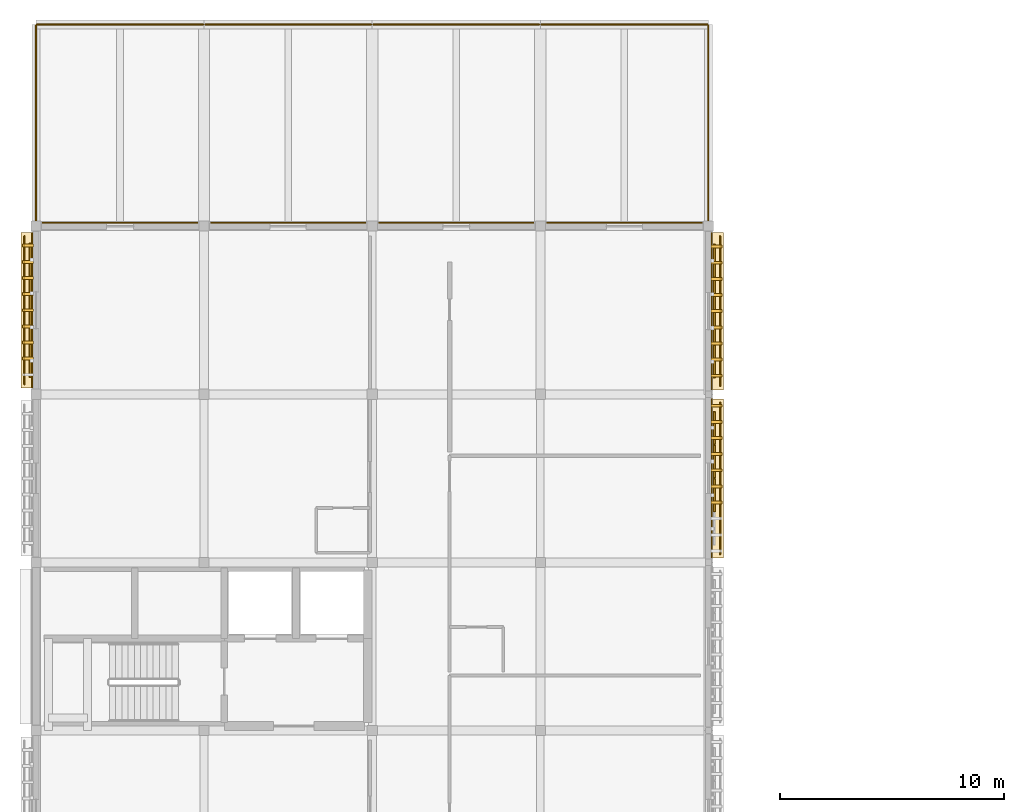
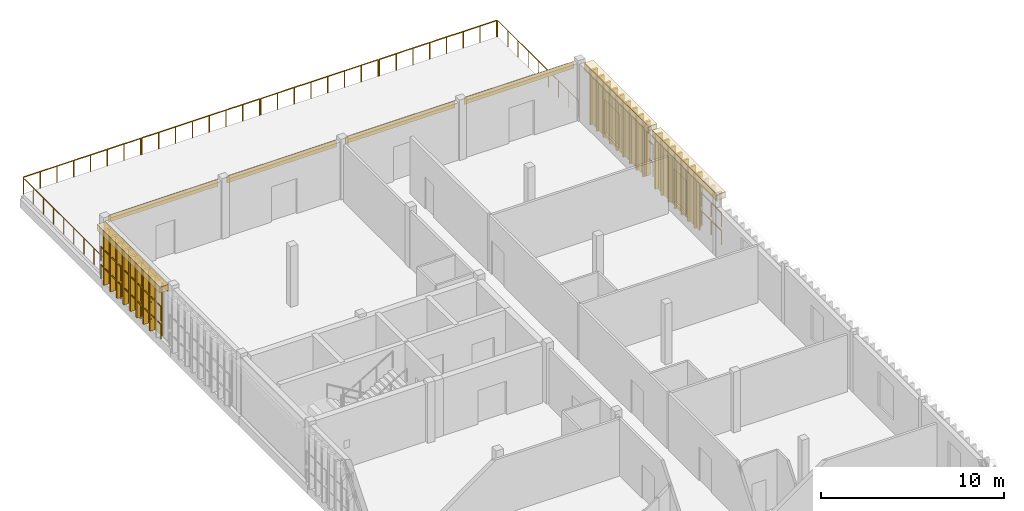
# One storey, part 13 of 13: 34 coverings, 12 railings, 11 shading devices.
"""IFC4 building model written with IfcOpenShell, lengths in metres."""

import ifcopenshell
import ifcopenshell.guid

model = None  # the IFC model being written
_history = None  # IfcOwnerHistory: only IFC2X3 demands one
_inside = {}  # id of a spatial element -> (the spatial element, [elements in it])
_under = {}  # id of a project, library or spatial element -> (it, [spatial elements below it])
_declared = {}  # id of a project -> (the project, [libraries it declares])
_typed = {}  # id of a type object -> (the type object, [elements of that type])
_made_of = {}  # id of a material, layer set ... -> (it, [elements and type objects made of it])


def new_model(schema):
    """Start an empty IFC model of exactly this schema.

    Asked for "IFC4X3", IfcOpenShell would pick the latest addendum, in which some entities
    have other attributes; the version numbers below select the first issue.
    IFC2X3 requires an IfcOwnerHistory on every rooted entity: one is made here for all.
    """
    global model, _history
    if schema == "IFC4X3":
        model = ifcopenshell.file(schema_version=(4, 3, 0, 0))
    else:
        model = ifcopenshell.file(schema=schema)
    _inside.clear()
    _under.clear()
    _declared.clear()
    _typed.clear()
    _made_of.clear()
    _history = None
    if model.schema == "IFC2X3":
        org = make("IfcOrganization", Name="unknown")
        user = make(
            "IfcPersonAndOrganization",
            ThePerson=make("IfcPerson", FamilyName="unknown"),
            TheOrganization=org,
        )
        app = make(
            "IfcApplication",
            ApplicationDeveloper=org,
            Version="unknown",
            ApplicationFullName="unknown",
            ApplicationIdentifier="unknown",
        )
        _history = make(
            "IfcOwnerHistory",
            OwningUser=user,
            OwningApplication=app,
            ChangeAction="ADDED",
            CreationDate=0,
        )
    return model


def make(cls, **values):
    """One entity of the class cls with the attributes given. An attribute that is None is left unset."""
    return model.create_entity(
        cls, **{name: value for name, value in values.items() if value is not None}
    )


def rooted(cls, **values):
    """An entity with a GlobalId (a new one), such as an element, a storey or a relation."""
    return make(cls, GlobalId=ifcopenshell.guid.new(), OwnerHistory=_history, **values)


def si_unit(unit_type, name, prefix=None):
    """IfcSIUnit, for example si_unit("LENGTHUNIT", "METRE", prefix="MILLI")."""
    return make("IfcSIUnit", UnitType=unit_type, Prefix=prefix, Name=name)


def assignment(units):
    """IfcUnitAssignment: the units of a project."""
    return None if units is None else make("IfcUnitAssignment", Units=units)


def point(xyz):
    """IfcCartesianPoint."""
    return None if xyz is None else make("IfcCartesianPoint", Coordinates=xyz)


def direction(xyz):
    """IfcDirection."""
    return None if xyz is None else make("IfcDirection", DirectionRatios=xyz)


def frame(location, z_axis=None, x_axis=None):
    """IfcAxis2Placement3D, a coordinate frame: its origin and axes. An axis left out is left unset."""
    return make(
        "IfcAxis2Placement3D",
        Location=point(location),
        Axis=direction(z_axis),
        RefDirection=direction(x_axis),
    )


def frame_2d(location, x_axis=None):
    """IfcAxis2Placement2D, a coordinate frame in the plane: its origin and x axis."""
    return make(
        "IfcAxis2Placement2D", Location=point(location), RefDirection=direction(x_axis)
    )


def origin():
    """The frame at (0, 0, 0) with its axes left unset."""
    return frame((0.0, 0.0, 0.0))


def origin_2d():
    """The frame at (0, 0) in the plane with its x axis left unset."""
    return frame_2d((0.0, 0.0))


def place(relative_to, where):
    """IfcLocalPlacement: puts the frame where relative to a parent placement (None: the world)."""
    return make(
        "IfcLocalPlacement", PlacementRelTo=relative_to, RelativePlacement=where
    )


def context(
    kind, dimensions, precision=None, world=None, true_north=None, identifier=None
):
    """IfcGeometricRepresentationContext, for example the 3D "Model" context."""
    return make(
        "IfcGeometricRepresentationContext",
        ContextIdentifier=identifier,
        ContextType=kind,
        CoordinateSpaceDimension=dimensions,
        Precision=precision,
        WorldCoordinateSystem=world,
        TrueNorth=true_north,
    )


def subcontext(parent, identifier, kind, view, scale=None):
    """IfcGeometricRepresentationSubContext, for example "Body" below "Model"."""
    return make(
        "IfcGeometricRepresentationSubContext",
        ContextIdentifier=identifier,
        ContextType=kind,
        ParentContext=parent,
        TargetScale=scale,
        TargetView=view,
    )


def project(units=None, contexts=None):
    """IfcProject with its units and contexts."""
    return rooted(
        "IfcProject",
        Name="project",
        RepresentationContexts=contexts,
        UnitsInContext=assignment(units),
    )


def spatial(cls, under=None, at=None, **own):
    """A site, building, storey or space (cls), placed at a placement, below another one or the project."""
    s = rooted(cls, ObjectPlacement=at, **own)
    if under is not None:
        _under.setdefault(under.id(), (under, []))[1].append(s)
    return s


def profile(cls, at=None, kind="AREA", **sizes):
    """A parametric profile (cls). Its sizes go by their IFC names, for example OverallWidth=200.0."""
    return make(cls, ProfileType=kind, Position=at, **sizes)


def rectangle(**sizes):
    """IfcRectangleProfileDef."""
    return profile("IfcRectangleProfileDef", **sizes)


def circle(**sizes):
    """IfcCircleProfileDef."""
    return profile("IfcCircleProfileDef", **sizes)


def extrude(swept, where, along, depth):
    """IfcExtrudedAreaSolid: the profile swept, set in the frame where, extruded along a direction by depth."""
    return make(
        "IfcExtrudedAreaSolid",
        SweptArea=swept,
        Position=where,
        ExtrudedDirection=direction(along),
        Depth=depth,
    )


def shape(context_of_items, identifier, shape_type, items):
    """IfcShapeRepresentation: the items that make up one representation, for example the "Body"."""
    return make(
        "IfcShapeRepresentation",
        ContextOfItems=context_of_items,
        RepresentationIdentifier=identifier,
        RepresentationType=shape_type,
        Items=items,
    )


def material(Name=None, Category=None):
    """IfcMaterial."""
    return make("IfcMaterial", Name=Name, Category=Category)


def layer(
    of_material, thickness, ventilated=None, Name=None, Category=None, Priority=None
):
    """IfcMaterialLayer: one layer of a wall or slab, of a material (None: an air gap)."""
    return make(
        "IfcMaterialLayer",
        Material=of_material,
        LayerThickness=thickness,
        IsVentilated=ventilated,
        Name=Name,
        Category=Category,
        Priority=Priority,
    )


def layer_set(layers, Name=None):
    """IfcMaterialLayerSet."""
    return make("IfcMaterialLayerSet", MaterialLayers=layers, LayerSetName=Name)


def made_of(thing, what):
    """Note that an element or type object is made of a material, layer set ...; save() writes the relation."""
    if what is not None:
        _made_of.setdefault(what.id(), (what, []))[1].append(thing)
    return thing


def type_object(cls, material=None, **own):
    """A type object (cls), such as IfcWallType, which elements share."""
    return made_of(rooted(cls, **own), material)


def element(
    cls,
    number,
    at=None,
    inside=None,
    cuts=None,
    type_object=None,
    material=None,
    context=None,
    identifier="Body",
    shape_type=None,
    held_by="IfcProductDefinitionShape",
    body=None,
    shapes=None,
    **own,
):
    """One element of the class cls, such as IfcWall. Its Tag is "e" and its number.

    at: its placement. inside: the storey or other place that contains it. cuts: it is an
    opening in that element (IfcRelVoidsElement). A single representation is given by context,
    identifier, shape_type and body (its items); several are given by shapes. held_by: the class
    of the entity that holds the representations. save() writes the other relations.
    """
    e = rooted(cls, Tag="e%d" % number, ObjectPlacement=at, **own)
    if body is not None:
        shapes = [shape(context, identifier, shape_type, body)]
    if shapes is not None:
        e.Representation = make(held_by, Representations=shapes)
    if inside is not None:
        _inside.setdefault(inside.id(), (inside, []))[1].append(e)
    if cuts is not None:
        rooted(
            "IfcRelVoidsElement", RelatingBuildingElement=cuts, RelatedOpeningElement=e
        )
    if type_object is not None:
        _typed.setdefault(type_object.id(), (type_object, []))[1].append(e)
    return made_of(e, material)


def aggregate(whole, parts):
    """IfcRelAggregates: a whole, such as a stair, and the parts it consists of."""
    return rooted("IfcRelAggregates", RelatingObject=whole, RelatedObjects=parts)


def save(model, path):
    """Write the relations noted so far, then the file.

    IfcRelAggregates (storeys below a building ...), IfcRelContainedInSpatialStructure (elements
    in a storey), IfcRelDefinesByType, IfcRelAssociatesMaterial and IfcRelDeclares: one each for
    every whole, place, type object, material and project.
    """
    for whole, parts in _under.values():
        aggregate(whole, parts)
    for where, things in _inside.values():
        rooted(
            "IfcRelContainedInSpatialStructure",
            RelatedElements=things,
            RelatingStructure=where,
        )
    for kind, things in _typed.values():
        rooted("IfcRelDefinesByType", RelatedObjects=things, RelatingType=kind)
    for what, things in _made_of.values():
        rooted("IfcRelAssociatesMaterial", RelatedObjects=things, RelatingMaterial=what)
    for by, libraries in _declared.values():
        rooted("IfcRelDeclares", RelatingContext=by, RelatedDefinitions=libraries)
    model.write(path)


model = new_model("IFC4")

# Units and contexts
model_context = context("Model", 3, precision=1e-05, world=origin(), true_north=direction((0.0, 1.0)))
body_context = subcontext(model_context, "Body", "Model", "MODEL_VIEW")
ifc_project = project(units=[si_unit("LENGTHUNIT", "METRE"), si_unit("AREAUNIT", "SQUARE_METRE"), si_unit("VOLUMEUNIT", "CUBIC_METRE"), si_unit("PLANEANGLEUNIT", "RADIAN"), si_unit("MASSUNIT", "GRAM", prefix="KILO")], contexts=[model_context])

# Site, building, storey
site_placement = place(None, origin())
site = spatial("IfcSite", under=ifc_project, at=site_placement, CompositionType="ELEMENT")
building_placement = place(site_placement, origin())
building = spatial("IfcBuilding", under=site, at=building_placement, Name="Dalvernix Boulevard General Hospital", CompositionType="ELEMENT")
storey_placement = place(building_placement, frame((0.0, 0.0, 30.0)))
storey = spatial("IfcBuildingStorey", under=building, at=storey_placement, Name="L07", CompositionType="ELEMENT", Elevation=30.0)

# Coverings
ifc_material_1 = material(Name="Polychrome Catalan glazed ceramic spandrel tile panel")
ifc_layer_1 = layer(ifc_material_1, 0.044921875)
ifc_layer_set_1 = layer_set([ifc_layer_1], Name="Polychrome Catalan glazed ceramic spandrel tile panel (COV-CLD-01)")
covering_type_1 = type_object("IfcCoveringType", Name="COV-CLD-01", PredefinedType="CLADDING", material=ifc_layer_set_1)
for number, where, z_axis, x_axis, name in (
    (1, (3.75, 76.659912109375, 3.35498046875), (0.0, 0.0, 1.0), (1.0, 0.0, 0.0), "L07 polychrome ceramic spandrel N 0-10"),
    (2, (-0.159912109375, 72.75, 3.35498046875), (0.0, 0.0, 1.0), (0.0, 1.0, 0.0), "L07 polychrome ceramic spandrel W 0-9"),
    (3, (11.25, 76.659912109375, 3.35498046875), (0.0, 0.0, 1.0), (1.0, 0.0, 0.0), "L07 polychrome ceramic spandrel N 1-10"),
    (4, (18.75, 76.659912109375, 3.35498046875), (0.0, 0.0, 1.0), (1.0, 0.0, 0.0), "L07 polychrome ceramic spandrel N 2-10"),
):
    element("IfcCovering", number, at=place(storey_placement, frame(where, z_axis=z_axis, x_axis=x_axis)), inside=storey, type_object=covering_type_1, Name=name, PredefinedType="CLADDING", context=body_context, shape_type="SweptSolid", body=[
        extrude(rectangle(XDim=6.929931640625, YDim=0.044921875, at=origin_2d()), origin(), (0.0, 0.0, 1.0), 0.449951171875),
    ])
covering_1_placement = place(storey_placement, frame((30.159912109375, 65.25, 3.35498046875), z_axis=(0.0, 0.0, 1.0), x_axis=(0.0, -1.0, 0.0)))
element("IfcCovering", 5, at=covering_1_placement, inside=storey, type_object=covering_type_1, Name="L07 polychrome ceramic spandrel E 4-8", PredefinedType="CLADDING", context=body_context, shape_type="SweptSolid", body=[
    extrude(rectangle(XDim=7.10009765625, YDim=0.044921875, at=origin_2d()), origin(), (0.0, 0.0, 1.0), 0.449951171875),
])
covering_2_placement = place(storey_placement, frame((26.25, 76.659912109375, 3.35498046875), z_axis=(0.0, 0.0, 1.0), x_axis=(1.0, 0.0, 0.0)))
element("IfcCovering", 6, at=covering_2_placement, inside=storey, type_object=covering_type_1, Name="L07 polychrome ceramic spandrel N 3-10", PredefinedType="CLADDING", context=body_context, shape_type="SweptSolid", body=[
    extrude(rectangle(XDim=6.929931640625, YDim=0.044921875, at=origin_2d()), origin(), (0.0, 0.0, 1.0), 0.449951171875),
])
covering_3_placement = place(storey_placement, frame((30.159912109375, 72.70751953125, 3.35498046875), z_axis=(0.0, 0.0, 1.0), x_axis=(0.0, -1.0, 0.0)))
element("IfcCovering", 7, at=covering_3_placement, inside=storey, type_object=covering_type_1, Name="L07 polychrome ceramic spandrel E 4-9", PredefinedType="CLADDING", context=body_context, shape_type="SweptSolid", body=[
    extrude(rectangle(XDim=7.014892578125, YDim=0.044921875, at=origin_2d()), origin(), (0.0, 0.0, 1.0), 0.449951171875),
])
ifc_material_2 = material(Name="Dressed ochre limestone classical plinth, stringcourse and corbelled cornice", Category="masonry")
ifc_layer_2 = layer(ifc_material_2, 0.449951171875)
ifc_layer_set_2 = layer_set([ifc_layer_2], Name="Dressed ochre limestone classical plinth, stringcourse and corbelled cornice (COV-CRN-01)")
covering_type_2 = type_object("IfcCoveringType", Name="COV-CRN-01", PredefinedType="CLADDING", material=ifc_layer_set_2)
covering_4_placement = place(storey_placement, frame((-0.39990234375, 72.75, 3.429931640625), z_axis=(0.0, 0.0, 1.0), x_axis=(0.0, 1.0, 0.0)))
element("IfcCovering", 8, at=covering_4_placement, inside=storey, type_object=covering_type_2, Name="L07 classical corbelled cornice frieze W 0-9", PredefinedType="CLADDING", context=body_context, shape_type="SweptSolid", body=[
    extrude(rectangle(XDim=6.929931640625, YDim=0.56005859375, at=origin_2d()), origin(), (0.0, 0.0, 1.0), 0.39990234375),
])
covering_5_placement = place(storey_placement, frame((30.39990234375, 65.25, 3.429931640625), z_axis=(0.0, 0.0, 1.0), x_axis=(0.0, -1.0, 0.0)))
element("IfcCovering", 9, at=covering_5_placement, inside=storey, type_object=covering_type_2, Name="L07 classical corbelled cornice frieze E 4-8", PredefinedType="CLADDING", context=body_context, shape_type="SweptSolid", body=[
    extrude(rectangle(XDim=7.10009765625, YDim=0.56005859375, at=origin_2d()), origin(), (0.0, 0.0, 1.0), 0.39990234375),
])
covering_6_placement = place(storey_placement, frame((30.39990234375, 72.70751953125, 3.429931640625), z_axis=(0.0, 0.0, 1.0), x_axis=(0.0, -1.0, 0.0)))
element("IfcCovering", 10, at=covering_6_placement, inside=storey, type_object=covering_type_2, Name="L07 classical corbelled cornice frieze E 4-9", PredefinedType="CLADDING", context=body_context, shape_type="SweptSolid", body=[
    extrude(rectangle(XDim=7.014892578125, YDim=0.56005859375, at=origin_2d()), origin(), (0.0, 0.0, 1.0), 0.39990234375),
])
ifc_material_3 = material(Name="Preservative-treated West African iroko timber lattice screen", Category="wood")
ifc_layer_3 = layer(ifc_material_3, 0.1201171875)
ifc_layer_set_3 = layer_set([ifc_layer_3], Name="Preservative-treated West African iroko timber lattice screen (COV-TSCR-01)")
covering_type_3 = type_object("IfcCoveringType", Name="COV-TSCR-01", PredefinedType="CLADDING", material=ifc_layer_set_3)
for number, where, z_axis, x_axis, name in (
    (11, (-0.360107421875, 70.590087890625, 0.10009765625), (0.0, 0.0, 1.0), (0.0, 1.0, 0.0), "L07 upper-ward timber screen blade W 0-9-2"),
    (12, (-0.360107421875, 71.31005859375, 0.10009765625), (0.0, 0.0, 1.0), (0.0, 1.0, 0.0), "L07 upper-ward timber screen blade W 0-9-3"),
    (13, (-0.360107421875, 72.030029296875, 0.10009765625), (0.0, 0.0, 1.0), (0.0, 1.0, 0.0), "L07 upper-ward timber screen blade W 0-9-4"),
    (14, (-0.360107421875, 72.75, 0.10009765625), (0.0, 0.0, 1.0), (0.0, 1.0, 0.0), "L07 upper-ward timber screen blade W 0-9-5"),
    (15, (-0.360107421875, 73.469970703125, 0.10009765625), (0.0, 0.0, 1.0), (0.0, 1.0, 0.0), "L07 upper-ward timber screen blade W 0-9-6"),
    (16, (-0.360107421875, 74.18994140625, 0.10009765625), (0.0, 0.0, 1.0), (0.0, 1.0, 0.0), "L07 upper-ward timber screen blade W 0-9-7"),
    (17, (-0.360107421875, 74.909912109375, 0.10009765625), (0.0, 0.0, 1.0), (0.0, 1.0, 0.0), "L07 upper-ward timber screen blade W 0-9-8"),
    (18, (-0.360107421875, 75.6298828125, 0.10009765625), (0.0, 0.0, 1.0), (0.0, 1.0, 0.0), "L07 upper-ward timber screen blade W 0-9-9"),
    (19, (30.360107421875, 68.489990234375, 0.10009765625), (0.0, 0.0, 1.0), (0.0, -1.0, 0.0), "L07 upper-ward timber screen blade E 4-8-1"),
    (20, (30.360107421875, 67.77001953125, 0.10009765625), (0.0, 0.0, 1.0), (0.0, -1.0, 0.0), "L07 upper-ward timber screen blade E 4-8-2"),
    (21, (30.360107421875, 67.050048828125, 0.10009765625), (0.0, 0.0, 1.0), (0.0, -1.0, 0.0), "L07 upper-ward timber screen blade E 4-8-3"),
    (22, (30.360107421875, 66.330078125, 0.10009765625), (0.0, 0.0, 1.0), (0.0, -1.0, 0.0), "L07 upper-ward timber screen blade E 4-8-4"),
    (23, (30.360107421875, 65.610107421875, 0.10009765625), (0.0, 0.0, 1.0), (0.0, -1.0, 0.0), "L07 upper-ward timber screen blade E 4-8-5"),
    (24, (30.360107421875, 64.889892578125, 0.10009765625), (0.0, 0.0, 1.0), (0.0, -1.0, 0.0), "L07 upper-ward timber screen blade E 4-8-6"),
    (25, (30.360107421875, 64.169921875, 0.10009765625), (0.0, 0.0, 1.0), (0.0, -1.0, 0.0), "L07 upper-ward timber screen blade E 4-8-7"),
    (26, (30.360107421875, 75.58740234375, 0.10009765625), (0.0, 0.0, 1.0), (0.0, -1.0, 0.0), "L07 upper-ward timber screen blade E 4-9-1"),
    (27, (30.360107421875, 74.867431640625, 0.10009765625), (0.0, 0.0, 1.0), (0.0, -1.0, 0.0), "L07 upper-ward timber screen blade E 4-9-2"),
    (28, (30.360107421875, 74.1474609375, 0.10009765625), (0.0, 0.0, 1.0), (0.0, -1.0, 0.0), "L07 upper-ward timber screen blade E 4-9-3"),
    (29, (30.360107421875, 73.427490234375, 0.10009765625), (0.0, 0.0, 1.0), (0.0, -1.0, 0.0), "L07 upper-ward timber screen blade E 4-9-4"),
    (30, (30.360107421875, 72.70751953125, 0.10009765625), (0.0, 0.0, 1.0), (0.0, -1.0, 0.0), "L07 upper-ward timber screen blade E 4-9-5"),
    (31, (30.360107421875, 71.987548828125, 0.10009765625), (0.0, 0.0, 1.0), (0.0, -1.0, 0.0), "L07 upper-ward timber screen blade E 4-9-6"),
    (32, (30.360107421875, 71.267578125, 0.10009765625), (0.0, 0.0, 1.0), (0.0, -1.0, 0.0), "L07 upper-ward timber screen blade E 4-9-7"),
    (33, (30.360107421875, 70.547607421875, 0.10009765625), (0.0, 0.0, 1.0), (0.0, -1.0, 0.0), "L07 upper-ward timber screen blade E 4-9-8"),
    (34, (30.360107421875, 69.827392578125, 0.10009765625), (0.0, 0.0, 1.0), (0.0, -1.0, 0.0), "L07 upper-ward timber screen blade E 4-9-9"),
):
    element("IfcCovering", number, at=place(storey_placement, frame(where, z_axis=z_axis, x_axis=x_axis)), inside=storey, type_object=covering_type_3, Name=name, PredefinedType="CLADDING", context=body_context, shape_type="SweptSolid", body=[
        extrude(rectangle(XDim=0.1298828125, YDim=0.47998046875, at=origin_2d()), origin(), (0.0, 0.0, 1.0), 3.6298828125),
    ])

# Railings
ifc_material_4 = material(Name="Powder-coated galvanized steel balustrade", Category="steel")
railing_type_1 = type_object("IfcRailingType", Name="RL-GR-EXT1", PredefinedType="BALUSTRADE", material=ifc_material_4)
for number, where, name in (
    (35, (7.5400390625, 85.5, 0.0), "L07 terrace safety balustrade 12"),
    (36, (15.0400390625, 85.5, 0.0), "L07 terrace safety balustrade 13"),
    (37, (22.5400390625, 85.5, 0.0), "L07 terrace safety balustrade 14"),
):
    element("IfcRailing", number, at=place(storey_placement, frame(where)), inside=storey, type_object=railing_type_1, Name=name, PredefinedType="BALUSTRADE", context=body_context, shape_type="SweptSolid", body=[
        extrude(circle(Radius=0.02392578125, at=origin_2d()), frame((0.0, 0.0, 1.09619140625), z_axis=(1.0, 0.0, 0.0), x_axis=(0.0, 1.0, 0.0)), (0.0, 0.0, 1.0), 7.419921875),
        extrude(circle(Radius=0.02099609375, at=origin_2d()), origin(), (0.0, 0.0, 1.0), 1.072021484375),
        extrude(circle(Radius=0.02099609375, at=origin_2d()), frame((1.06005859375, 0.0, 0.0)), (0.0, 0.0, 1.0), 1.072021484375),
        extrude(circle(Radius=0.02099609375, at=origin_2d()), frame((2.119873046875, 0.0, 0.0)), (0.0, 0.0, 1.0), 1.072021484375),
        extrude(circle(Radius=0.02099609375, at=origin_2d()), frame((3.179931640625, 0.0, 0.0)), (0.0, 0.0, 1.0), 1.072021484375),
        extrude(circle(Radius=0.02099609375, at=origin_2d()), frame((4.239990234375, 0.0, 0.0)), (0.0, 0.0, 1.0), 1.072021484375),
        extrude(circle(Radius=0.02099609375, at=origin_2d()), frame((5.300048828125, 0.0, 0.0)), (0.0, 0.0, 1.0), 1.072021484375),
        extrude(circle(Radius=0.02099609375, at=origin_2d()), frame((6.35986328125, 0.0, 0.0)), (0.0, 0.0, 1.0), 1.072021484375),
        extrude(circle(Radius=0.02099609375, at=origin_2d()), frame((7.419921875, 0.0, 0.0)), (0.0, 0.0, 1.0), 1.072021484375),
    ])
railing_1_placement = place(storey_placement, frame((30.0, 85.4599609375, 0.0)))
element("IfcRailing", 38, at=railing_1_placement, inside=storey, type_object=railing_type_1, Name="L07 terrace safety balustrade 15", PredefinedType="BALUSTRADE", context=body_context, shape_type="SweptSolid", body=[
    extrude(circle(Radius=0.02392578125, at=origin_2d()), frame((0.0, 0.0, 1.09619140625), z_axis=(0.0, -1.0, 0.0), x_axis=(1.0, 0.0, 0.0)), (0.0, 0.0, 1.0), 8.869873046875),
    extrude(circle(Radius=0.02099609375, at=origin_2d()), origin(), (0.0, 0.0, 1.0), 1.072021484375),
    extrude(circle(Radius=0.02099609375, at=origin_2d()), frame((0.0, -1.108642578125, 0.0)), (0.0, 0.0, 1.0), 1.072021484375),
    extrude(circle(Radius=0.02099609375, at=origin_2d()), frame((0.0, -2.217529296875, 0.0)), (0.0, 0.0, 1.0), 1.072021484375),
    extrude(circle(Radius=0.02099609375, at=origin_2d()), frame((0.0, -3.326171875, 0.0)), (0.0, 0.0, 1.0), 1.072021484375),
    extrude(circle(Radius=0.02099609375, at=origin_2d()), frame((0.0, -4.43505859375, 0.0)), (0.0, 0.0, 1.0), 1.072021484375),
    extrude(circle(Radius=0.02099609375, at=origin_2d()), frame((0.0, -5.543701171875, 0.0)), (0.0, 0.0, 1.0), 1.072021484375),
    extrude(circle(Radius=0.02099609375, at=origin_2d()), frame((0.0, -6.65234375, 0.0)), (0.0, 0.0, 1.0), 1.072021484375),
    extrude(circle(Radius=0.02099609375, at=origin_2d()), frame((0.0, -7.76123046875, 0.0)), (0.0, 0.0, 1.0), 1.072021484375),
    extrude(circle(Radius=0.02099609375, at=origin_2d()), frame((0.0, -8.869873046875, 0.0)), (0.0, 0.0, 1.0), 1.072021484375),
])
railing_2_placement = place(storey_placement, frame((0.0, 76.590087890625, 0.0)))
element("IfcRailing", 39, at=railing_2_placement, inside=storey, type_object=railing_type_1, Name="L07 terrace safety balustrade 16", PredefinedType="BALUSTRADE", context=body_context, shape_type="SweptSolid", body=[
    extrude(circle(Radius=0.02392578125, at=origin_2d()), frame((0.0, 0.0, 1.09619140625), z_axis=(0.0, 1.0, 0.0), x_axis=(-1.0, 0.0, 0.0)), (0.0, 0.0, 1.0), 8.869873046875),
    extrude(circle(Radius=0.02099609375, at=origin_2d()), origin(), (0.0, 0.0, 1.0), 1.072021484375),
    extrude(circle(Radius=0.02099609375, at=origin_2d()), frame((0.0, 1.108642578125, 0.0)), (0.0, 0.0, 1.0), 1.072021484375),
    extrude(circle(Radius=0.02099609375, at=origin_2d()), frame((0.0, 2.217529296875, 0.0)), (0.0, 0.0, 1.0), 1.072021484375),
    extrude(circle(Radius=0.02099609375, at=origin_2d()), frame((0.0, 3.326171875, 0.0)), (0.0, 0.0, 1.0), 1.072021484375),
    extrude(circle(Radius=0.02099609375, at=origin_2d()), frame((0.0, 4.43505859375, 0.0)), (0.0, 0.0, 1.0), 1.072021484375),
    extrude(circle(Radius=0.02099609375, at=origin_2d()), frame((0.0, 5.543701171875, 0.0)), (0.0, 0.0, 1.0), 1.072021484375),
    extrude(circle(Radius=0.02099609375, at=origin_2d()), frame((0.0, 6.65234375, 0.0)), (0.0, 0.0, 1.0), 1.072021484375),
    extrude(circle(Radius=0.02099609375, at=origin_2d()), frame((0.0, 7.76123046875, 0.0)), (0.0, 0.0, 1.0), 1.072021484375),
    extrude(circle(Radius=0.02099609375, at=origin_2d()), frame((0.0, 8.869873046875, 0.0)), (0.0, 0.0, 1.0), 1.072021484375),
])
railing_3_placement = place(storey_placement, frame((0.0400390625, 85.5, 0.0)))
element("IfcRailing", 40, at=railing_3_placement, inside=storey, type_object=railing_type_1, Name="L07 terrace safety balustrade 17", PredefinedType="BALUSTRADE", context=body_context, shape_type="SweptSolid", body=[
    extrude(circle(Radius=0.02392578125, at=origin_2d()), frame((0.0, 0.0, 1.09619140625), z_axis=(1.0, 0.0, 0.0), x_axis=(0.0, 1.0, 0.0)), (0.0, 0.0, 1.0), 7.419921875),
    extrude(circle(Radius=0.02099609375, at=origin_2d()), origin(), (0.0, 0.0, 1.0), 1.072021484375),
    extrude(circle(Radius=0.02099609375, at=origin_2d()), frame((1.06005859375, 0.0, 0.0)), (0.0, 0.0, 1.0), 1.072021484375),
    extrude(circle(Radius=0.02099609375, at=origin_2d()), frame((2.119873046875, 0.0, 0.0)), (0.0, 0.0, 1.0), 1.072021484375),
    extrude(circle(Radius=0.02099609375, at=origin_2d()), frame((3.179931640625, 0.0, 0.0)), (0.0, 0.0, 1.0), 1.072021484375),
    extrude(circle(Radius=0.02099609375, at=origin_2d()), frame((4.239990234375, 0.0, 0.0)), (0.0, 0.0, 1.0), 1.072021484375),
    extrude(circle(Radius=0.02099609375, at=origin_2d()), frame((5.300048828125, 0.0, 0.0)), (0.0, 0.0, 1.0), 1.072021484375),
    extrude(circle(Radius=0.02099609375, at=origin_2d()), frame((6.35986328125, 0.0, 0.0)), (0.0, 0.0, 1.0), 1.072021484375),
    extrude(circle(Radius=0.02099609375, at=origin_2d()), frame((7.419921875, 0.0, 0.0)), (0.0, 0.0, 1.0), 1.072021484375),
])
ifc_material_5 = material(Name="Preservative-treated iroko timber horizontal screen louver rail", Category="wood")
railing_type_2 = type_object("IfcRailingType", Name="RL-TSCR-01", PredefinedType="BALUSTRADE", material=ifc_material_5)
for number, where, name in (
    (41, (-0.52001953125, 69.455078125, 0.25), "L07 upper-ward horizontal timber screen louver W 0-9-1"),
    (42, (-0.52001953125, 69.455078125, 1.449951171875), "L07 upper-ward horizontal timber screen louver W 0-9-2"),
):
    element("IfcRailing", number, at=place(storey_placement, frame(where)), inside=storey, type_object=railing_type_2, Name=name, PredefinedType="BALUSTRADE", context=body_context, shape_type="SweptSolid", body=[
        extrude(circle(Radius=0.02392578125, at=origin_2d()), frame((0.0, 0.0, 0.92578125), z_axis=(0.0, 1.0, 0.0), x_axis=(-1.0, 0.0, 0.0)), (0.0, 0.0, 1.0), 6.58984375),
        extrude(circle(Radius=0.02099609375, at=origin_2d()), origin(), (0.0, 0.0, 1.0), 0.90185546875),
        extrude(circle(Radius=0.02099609375, at=origin_2d()), frame((0.0, 1.098388671875, 0.0)), (0.0, 0.0, 1.0), 0.90185546875),
        extrude(circle(Radius=0.02099609375, at=origin_2d()), frame((0.0, 2.196533203125, 0.0)), (0.0, 0.0, 1.0), 0.90185546875),
        extrude(circle(Radius=0.02099609375, at=origin_2d()), frame((0.0, 3.294921875, 0.0)), (0.0, 0.0, 1.0), 0.90185546875),
        extrude(circle(Radius=0.02099609375, at=origin_2d()), frame((0.0, 4.393310546875, 0.0)), (0.0, 0.0, 1.0), 0.90185546875),
        extrude(circle(Radius=0.02099609375, at=origin_2d()), frame((0.0, 5.491455078125, 0.0)), (0.0, 0.0, 1.0), 0.90185546875),
        extrude(circle(Radius=0.02099609375, at=origin_2d()), frame((0.0, 6.58984375, 0.0)), (0.0, 0.0, 1.0), 0.90185546875),
    ])
for number, where, name in (
    (43, (30.52001953125, 68.6298828125, 0.25), "L07 upper-ward horizontal timber screen louver E 4-8-1"),
    (44, (30.52001953125, 68.6298828125, 1.449951171875), "L07 upper-ward horizontal timber screen louver E 4-8-2"),
):
    element("IfcRailing", number, at=place(storey_placement, frame(where)), inside=storey, type_object=railing_type_2, Name=name, PredefinedType="BALUSTRADE", context=body_context, shape_type="SweptSolid", body=[
        extrude(circle(Radius=0.02392578125, at=origin_2d()), frame((0.0, 0.0, 0.92578125), z_axis=(0.0, -1.0, 0.0), x_axis=(1.0, 0.0, 0.0)), (0.0, 0.0, 1.0), 6.759765625),
        extrude(circle(Radius=0.02099609375, at=origin_2d()), origin(), (0.0, 0.0, 1.0), 0.90185546875),
        extrude(circle(Radius=0.02099609375, at=origin_2d()), frame((0.0, -1.126708984375, 0.0)), (0.0, 0.0, 1.0), 0.90185546875),
        extrude(circle(Radius=0.02099609375, at=origin_2d()), frame((0.0, -2.253173828125, 0.0)), (0.0, 0.0, 1.0), 0.90185546875),
        extrude(circle(Radius=0.02099609375, at=origin_2d()), frame((0.0, -3.3798828125, 0.0)), (0.0, 0.0, 1.0), 0.90185546875),
        extrude(circle(Radius=0.02099609375, at=origin_2d()), frame((0.0, -4.506591796875, 0.0)), (0.0, 0.0, 1.0), 0.90185546875),
        extrude(circle(Radius=0.02099609375, at=origin_2d()), frame((0.0, -5.633056640625, 0.0)), (0.0, 0.0, 1.0), 0.90185546875),
        extrude(circle(Radius=0.02099609375, at=origin_2d()), frame((0.0, -6.759765625, 0.0)), (0.0, 0.0, 1.0), 0.90185546875),
    ])
for number, where, name in (
    (45, (30.52001953125, 76.044921875, 0.25), "L07 upper-ward horizontal timber screen louver E 4-9-1"),
    (46, (30.52001953125, 76.044921875, 1.449951171875), "L07 upper-ward horizontal timber screen louver E 4-9-2"),
):
    element("IfcRailing", number, at=place(storey_placement, frame(where)), inside=storey, type_object=railing_type_2, Name=name, PredefinedType="BALUSTRADE", context=body_context, shape_type="SweptSolid", body=[
        extrude(circle(Radius=0.02392578125, at=origin_2d()), frame((0.0, 0.0, 0.92578125), z_axis=(0.0, -1.0, 0.0), x_axis=(1.0, 0.0, 0.0)), (0.0, 0.0, 1.0), 6.6748046875),
        extrude(circle(Radius=0.02099609375, at=origin_2d()), origin(), (0.0, 0.0, 1.0), 0.90185546875),
        extrude(circle(Radius=0.02099609375, at=origin_2d()), frame((0.0, -1.112548828125, 0.0)), (0.0, 0.0, 1.0), 0.90185546875),
        extrude(circle(Radius=0.02099609375, at=origin_2d()), frame((0.0, -2.224853515625, 0.0)), (0.0, 0.0, 1.0), 0.90185546875),
        extrude(circle(Radius=0.02099609375, at=origin_2d()), frame((0.0, -3.33740234375, 0.0)), (0.0, 0.0, 1.0), 0.90185546875),
        extrude(circle(Radius=0.02099609375, at=origin_2d()), frame((0.0, -4.449951171875, 0.0)), (0.0, 0.0, 1.0), 0.90185546875),
        extrude(circle(Radius=0.02099609375, at=origin_2d()), frame((0.0, -5.562255859375, 0.0)), (0.0, 0.0, 1.0), 0.90185546875),
        extrude(circle(Radius=0.02099609375, at=origin_2d()), frame((0.0, -6.6748046875, 0.0)), (0.0, 0.0, 1.0), 0.90185546875),
    ])

# Shading devices
ifc_material_6 = material(Name="Perforated iroko timber and glazed ceramic screen (30 percent open)", Category="wood")
shading_device_type = type_object("IfcShadingDeviceType", Name="SHD-SCR-01", PredefinedType="USERDEFINED", material=ifc_material_6)
for number, where, z_axis, x_axis, name in (
    (47, (-0.260009765625, 70.5, 0.14990234375), (0.0, 0.0, 1.0), (0.0, 1.0, 0.0), "L07 perforated timber screen 1"),
    (48, (-0.260009765625, 72.0, 0.14990234375), (0.0, 0.0, 1.0), (0.0, 1.0, 0.0), "L07 perforated timber screen 2"),
    (49, (-0.260009765625, 73.5, 0.14990234375), (0.0, 0.0, 1.0), (0.0, 1.0, 0.0), "L07 perforated timber screen 3"),
    (50, (-0.260009765625, 75.0, 0.14990234375), (0.0, 0.0, 1.0), (0.0, 1.0, 0.0), "L07 perforated timber screen 4"),
    (51, (30.260009765625, 67.5, 0.14990234375), (0.0, 0.0, 1.0), (0.0, -1.0, 0.0), "L07 perforated timber screen 1"),
    (52, (30.260009765625, 66.0, 0.14990234375), (0.0, 0.0, 1.0), (0.0, -1.0, 0.0), "L07 perforated timber screen 2"),
    (53, (30.260009765625, 64.5, 0.14990234375), (0.0, 0.0, 1.0), (0.0, -1.0, 0.0), "L07 perforated timber screen 3"),
    (54, (30.260009765625, 74.95751953125, 0.14990234375), (0.0, 0.0, 1.0), (0.0, -1.0, 0.0), "L07 perforated timber screen 1"),
    (55, (30.260009765625, 73.45751953125, 0.14990234375), (0.0, 0.0, 1.0), (0.0, -1.0, 0.0), "L07 perforated timber screen 2"),
    (56, (30.260009765625, 71.95751953125, 0.14990234375), (0.0, 0.0, 1.0), (0.0, -1.0, 0.0), "L07 perforated timber screen 3"),
    (57, (30.260009765625, 70.45751953125, 0.14990234375), (0.0, 0.0, 1.0), (0.0, -1.0, 0.0), "L07 perforated timber screen 4"),
):
    element("IfcShadingDevice", number, at=place(storey_placement, frame(where, z_axis=z_axis, x_axis=x_axis)), inside=storey, type_object=shading_device_type, Name=name, ObjectType="SCREEN", PredefinedType="USERDEFINED", context=body_context, shape_type="SweptSolid", body=[
        extrude(rectangle(XDim=1.4599609375, YDim=0.080078125, at=origin_2d()), origin(), (0.0, 0.0, 1.0), 3.530029296875),
    ])

save(model, "model.ifc")
